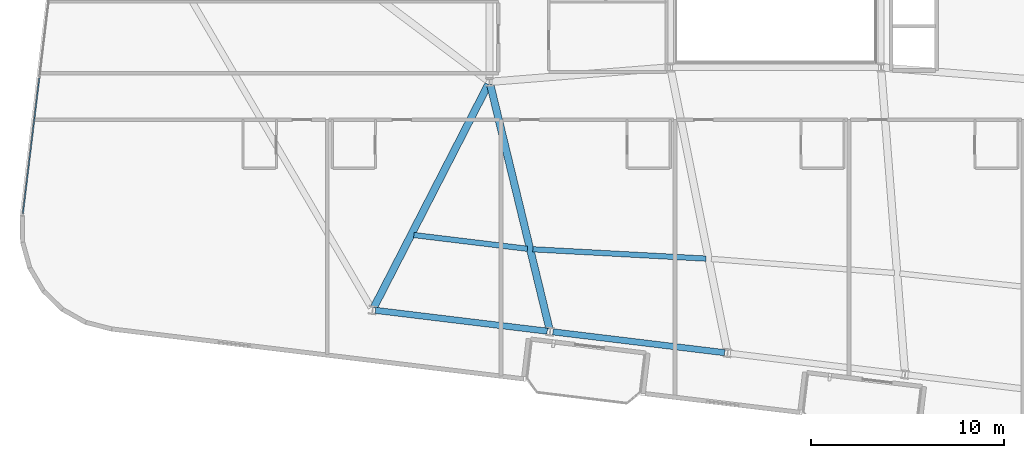
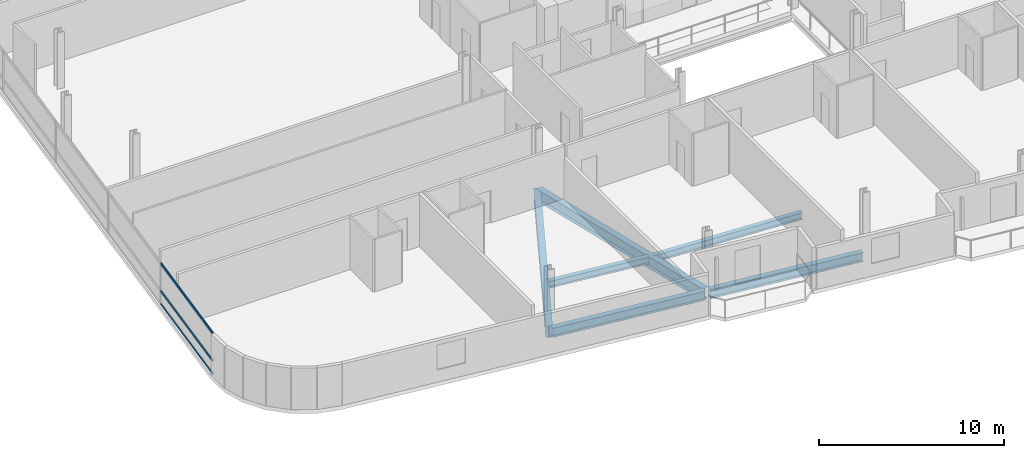
# One storey, part 3 of 26: 6 beams, 3 members, 1 element without a shape of its own.
"""IFC4 building model written with IfcOpenShell, lengths in metres."""

import ifcopenshell
import ifcopenshell.guid

model = None  # the IFC model being written
_history = None  # IfcOwnerHistory: only IFC2X3 demands one
_inside = {}  # id of a spatial element -> (the spatial element, [elements in it])
_under = {}  # id of a project, library or spatial element -> (it, [spatial elements below it])
_declared = {}  # id of a project -> (the project, [libraries it declares])
_typed = {}  # id of a type object -> (the type object, [elements of that type])
_made_of = {}  # id of a material, layer set ... -> (it, [elements and type objects made of it])


def new_model(schema):
    """Start an empty IFC model of exactly this schema.

    Asked for "IFC4X3", IfcOpenShell would pick the latest addendum, in which some entities
    have other attributes; the version numbers below select the first issue.
    IFC2X3 requires an IfcOwnerHistory on every rooted entity: one is made here for all.
    """
    global model, _history
    if schema == "IFC4X3":
        model = ifcopenshell.file(schema_version=(4, 3, 0, 0))
    else:
        model = ifcopenshell.file(schema=schema)
    _inside.clear()
    _under.clear()
    _declared.clear()
    _typed.clear()
    _made_of.clear()
    _history = None
    if model.schema == "IFC2X3":
        org = make("IfcOrganization", Name="unknown")
        user = make(
            "IfcPersonAndOrganization",
            ThePerson=make("IfcPerson", FamilyName="unknown"),
            TheOrganization=org,
        )
        app = make(
            "IfcApplication",
            ApplicationDeveloper=org,
            Version="unknown",
            ApplicationFullName="unknown",
            ApplicationIdentifier="unknown",
        )
        _history = make(
            "IfcOwnerHistory",
            OwningUser=user,
            OwningApplication=app,
            ChangeAction="ADDED",
            CreationDate=0,
        )
    return model


def make(cls, **values):
    """One entity of the class cls with the attributes given. An attribute that is None is left unset."""
    return model.create_entity(
        cls, **{name: value for name, value in values.items() if value is not None}
    )


def rooted(cls, **values):
    """An entity with a GlobalId (a new one), such as an element, a storey or a relation."""
    return make(cls, GlobalId=ifcopenshell.guid.new(), OwnerHistory=_history, **values)


def si_unit(unit_type, name, prefix=None):
    """IfcSIUnit, for example si_unit("LENGTHUNIT", "METRE", prefix="MILLI")."""
    return make("IfcSIUnit", UnitType=unit_type, Prefix=prefix, Name=name)


def assignment(units):
    """IfcUnitAssignment: the units of a project."""
    return None if units is None else make("IfcUnitAssignment", Units=units)


def point(xyz):
    """IfcCartesianPoint."""
    return None if xyz is None else make("IfcCartesianPoint", Coordinates=xyz)


def direction(xyz):
    """IfcDirection."""
    return None if xyz is None else make("IfcDirection", DirectionRatios=xyz)


def frame(location, z_axis=None, x_axis=None):
    """IfcAxis2Placement3D, a coordinate frame: its origin and axes. An axis left out is left unset."""
    return make(
        "IfcAxis2Placement3D",
        Location=point(location),
        Axis=direction(z_axis),
        RefDirection=direction(x_axis),
    )


def frame_2d(location, x_axis=None):
    """IfcAxis2Placement2D, a coordinate frame in the plane: its origin and x axis."""
    return make(
        "IfcAxis2Placement2D", Location=point(location), RefDirection=direction(x_axis)
    )


def origin():
    """The frame at (0, 0, 0) with its axes left unset."""
    return frame((0.0, 0.0, 0.0))


def origin_2d():
    """The frame at (0, 0) in the plane with its x axis left unset."""
    return frame_2d((0.0, 0.0))


def place(relative_to, where):
    """IfcLocalPlacement: puts the frame where relative to a parent placement (None: the world)."""
    return make(
        "IfcLocalPlacement", PlacementRelTo=relative_to, RelativePlacement=where
    )


def context(
    kind, dimensions, precision=None, world=None, true_north=None, identifier=None
):
    """IfcGeometricRepresentationContext, for example the 3D "Model" context."""
    return make(
        "IfcGeometricRepresentationContext",
        ContextIdentifier=identifier,
        ContextType=kind,
        CoordinateSpaceDimension=dimensions,
        Precision=precision,
        WorldCoordinateSystem=world,
        TrueNorth=true_north,
    )


def subcontext(parent, identifier, kind, view, scale=None):
    """IfcGeometricRepresentationSubContext, for example "Body" below "Model"."""
    return make(
        "IfcGeometricRepresentationSubContext",
        ContextIdentifier=identifier,
        ContextType=kind,
        ParentContext=parent,
        TargetScale=scale,
        TargetView=view,
    )


def project(units=None, contexts=None):
    """IfcProject with its units and contexts."""
    return rooted(
        "IfcProject",
        Name="project",
        RepresentationContexts=contexts,
        UnitsInContext=assignment(units),
    )


def spatial(cls, under=None, at=None, **own):
    """A site, building, storey or space (cls), placed at a placement, below another one or the project."""
    s = rooted(cls, ObjectPlacement=at, **own)
    if under is not None:
        _under.setdefault(under.id(), (under, []))[1].append(s)
    return s


def profile(cls, at=None, kind="AREA", **sizes):
    """A parametric profile (cls). Its sizes go by their IFC names, for example OverallWidth=200.0."""
    return make(cls, ProfileType=kind, Position=at, **sizes)


def hollow_rectangle(**sizes):
    """IfcRectangleHollowProfileDef."""
    return profile("IfcRectangleHollowProfileDef", **sizes)


def i_section(**sizes):
    """IfcIShapeProfileDef."""
    return profile("IfcIShapeProfileDef", **sizes)


def extrude(swept, where, along, depth):
    """IfcExtrudedAreaSolid: the profile swept, set in the frame where, extruded along a direction by depth."""
    return make(
        "IfcExtrudedAreaSolid",
        SweptArea=swept,
        Position=where,
        ExtrudedDirection=direction(along),
        Depth=depth,
    )


def shape(context_of_items, identifier, shape_type, items):
    """IfcShapeRepresentation: the items that make up one representation, for example the "Body"."""
    return make(
        "IfcShapeRepresentation",
        ContextOfItems=context_of_items,
        RepresentationIdentifier=identifier,
        RepresentationType=shape_type,
        Items=items,
    )


def material(Name=None, Category=None):
    """IfcMaterial."""
    return make("IfcMaterial", Name=Name, Category=Category)


def layer(
    of_material, thickness, ventilated=None, Name=None, Category=None, Priority=None
):
    """IfcMaterialLayer: one layer of a wall or slab, of a material (None: an air gap)."""
    return make(
        "IfcMaterialLayer",
        Material=of_material,
        LayerThickness=thickness,
        IsVentilated=ventilated,
        Name=Name,
        Category=Category,
        Priority=Priority,
    )


def layer_set(layers, Name=None):
    """IfcMaterialLayerSet."""
    return make("IfcMaterialLayerSet", MaterialLayers=layers, LayerSetName=Name)


def material_profile(
    of_material, cross_section, Name=None, Category=None, Priority=None
):
    """IfcMaterialProfile: a cross section and its material."""
    return make(
        "IfcMaterialProfile",
        Name=Name,
        Material=of_material,
        Profile=cross_section,
        Priority=Priority,
        Category=Category,
    )


def profile_set(profiles, Name=None, composite=None):
    """IfcMaterialProfileSet."""
    return make(
        "IfcMaterialProfileSet",
        Name=Name,
        MaterialProfiles=profiles,
        CompositeProfile=composite,
    )


def made_of(thing, what):
    """Note that an element or type object is made of a material, layer set ...; save() writes the relation."""
    if what is not None:
        _made_of.setdefault(what.id(), (what, []))[1].append(thing)
    return thing


def type_object(cls, material=None, **own):
    """A type object (cls), such as IfcWallType, which elements share."""
    return made_of(rooted(cls, **own), material)


def element(
    cls,
    number,
    at=None,
    inside=None,
    cuts=None,
    type_object=None,
    material=None,
    context=None,
    identifier="Body",
    shape_type=None,
    held_by="IfcProductDefinitionShape",
    body=None,
    shapes=None,
    **own,
):
    """One element of the class cls, such as IfcWall. Its Tag is "e" and its number.

    at: its placement. inside: the storey or other place that contains it. cuts: it is an
    opening in that element (IfcRelVoidsElement). A single representation is given by context,
    identifier, shape_type and body (its items); several are given by shapes. held_by: the class
    of the entity that holds the representations. save() writes the other relations.
    """
    e = rooted(cls, Tag="e%d" % number, ObjectPlacement=at, **own)
    if body is not None:
        shapes = [shape(context, identifier, shape_type, body)]
    if shapes is not None:
        e.Representation = make(held_by, Representations=shapes)
    if inside is not None:
        _inside.setdefault(inside.id(), (inside, []))[1].append(e)
    if cuts is not None:
        rooted(
            "IfcRelVoidsElement", RelatingBuildingElement=cuts, RelatedOpeningElement=e
        )
    if type_object is not None:
        _typed.setdefault(type_object.id(), (type_object, []))[1].append(e)
    return made_of(e, material)


def aggregate(whole, parts):
    """IfcRelAggregates: a whole, such as a stair, and the parts it consists of."""
    return rooted("IfcRelAggregates", RelatingObject=whole, RelatedObjects=parts)


def save(model, path):
    """Write the relations noted so far, then the file.

    IfcRelAggregates (storeys below a building ...), IfcRelContainedInSpatialStructure (elements
    in a storey), IfcRelDefinesByType, IfcRelAssociatesMaterial and IfcRelDeclares: one each for
    every whole, place, type object, material and project.
    """
    for whole, parts in _under.values():
        aggregate(whole, parts)
    for where, things in _inside.values():
        rooted(
            "IfcRelContainedInSpatialStructure",
            RelatedElements=things,
            RelatingStructure=where,
        )
    for kind, things in _typed.values():
        rooted("IfcRelDefinesByType", RelatedObjects=things, RelatingType=kind)
    for what, things in _made_of.values():
        rooted("IfcRelAssociatesMaterial", RelatedObjects=things, RelatingMaterial=what)
    for by, libraries in _declared.values():
        rooted("IfcRelDeclares", RelatingContext=by, RelatedDefinitions=libraries)
    model.write(path)


model = new_model("IFC4")

# Units and contexts
model_context = context("Model", 3, precision=1e-05, world=origin(), true_north=direction((0.0, 1.0)))
body_context = subcontext(model_context, "Body", "Model", "MODEL_VIEW")
ifc_project = project(units=[si_unit("LENGTHUNIT", "METRE"), si_unit("AREAUNIT", "SQUARE_METRE"), si_unit("VOLUMEUNIT", "CUBIC_METRE"), si_unit("PLANEANGLEUNIT", "RADIAN"), si_unit("MASSUNIT", "GRAM", prefix="KILO")], contexts=[model_context])

# Site, building, storey
site_placement = place(None, origin())
site = spatial("IfcSite", under=ifc_project, at=site_placement, CompositionType="ELEMENT")
building_placement = place(site_placement, origin())
building = spatial("IfcBuilding", under=site, at=building_placement, Name="Varnelok Gate Tower", CompositionType="ELEMENT")
storey_placement = place(building_placement, frame((0.0, 0.0, 143.89990234375)))
storey = spatial("IfcBuildingStorey", under=building, at=storey_placement, Name="L36", CompositionType="ELEMENT", Elevation=143.89990234375)

# Beams
ifc_material_1 = material(Name="Structural Steel ASTM A992 Grade 50", Category="steel")
ifc_material_profile_1 = material_profile(ifc_material_1, i_section(OverallWidth=0.280029296875, OverallDepth=0.462890625, WebThickness=0.0107421875, FlangeThickness=0.017333984375, FilletRadius=0.014892578125, at=origin_2d()), Name="W18X76")
ifc_profile_set_1 = profile_set([ifc_material_profile_1], Name="Structural Steel ASTM A992 Grade 50")
beam_type_1 = type_object("IfcBeamType", Name="BM-JST-W18X76", PredefinedType="JOIST", material=ifc_profile_set_1)
beam_1_placement = place(storey_placement, frame((20.482666015625, 10.875, -0.4814453125), z_axis=(0.992731840387, -0.120347385022, 0.0), x_axis=(0.120347385022, 0.992731840387, 0.0)))
element("IfcBeam", 1, at=beam_1_placement, inside=storey, type_object=beam_type_1, Name="L36 Sector Floor Joist 1", PredefinedType="JOIST", context=body_context, shape_type="SweptSolid", body=[
    extrude(i_section(OverallWidth=0.280029296875, OverallDepth=0.462890625, WebThickness=0.0107421875, FlangeThickness=0.017333984375, FilletRadius=0.014892578125, at=origin_2d()), origin(), (0.0, 0.0, 1.0), 5.91748046875),
])
beam_2_placement = place(storey_placement, frame((26.635986328125, 10.138427734375, -0.4814453125), z_axis=(0.998547263771, -0.053882854557, 0.0), x_axis=(0.053882854557, 0.998547263771, 0.0)))
element("IfcBeam", 2, at=beam_2_placement, inside=storey, type_object=beam_type_1, Name="L36 Sector Floor Joist 2", PredefinedType="JOIST", context=body_context, shape_type="SweptSolid", body=[
    extrude(i_section(OverallWidth=0.280029296875, OverallDepth=0.462890625, WebThickness=0.0107421875, FlangeThickness=0.017333984375, FilletRadius=0.014892578125, at=origin_2d()), origin(), (0.0, 0.0, 1.0), 8.97119140625),
])
ifc_material_profile_2 = material_profile(ifc_material_1, i_section(OverallWidth=0.381103515625, OverallDepth=0.77294921875, WebThickness=0.0166015625, FlangeThickness=0.027099609375, FilletRadius=0.02197265625, at=origin_2d()), Name="W30X173")
ifc_profile_set_2 = profile_set([ifc_material_profile_2], Name="Structural Steel ASTM A992 Grade 50")
beam_type_2 = type_object("IfcBeamType", Name="BM-PRI-W30X173", PredefinedType="BEAM", material=ifc_profile_set_2)
beam_3_placement = place(storey_placement, frame((24.33154296875, 18.66650390625, -0.636474609375), z_axis=(-0.456386604987, -0.889781583754, 0.0), x_axis=(0.889781583754, -0.456386604987, 0.0)))
element("IfcBeam", 3, at=beam_3_placement, inside=storey, type_object=beam_type_2, Name="L36 Radial Floor Girder 1", PredefinedType="BEAM", context=body_context, shape_type="SweptSolid", body=[
    extrude(i_section(OverallWidth=0.381103515625, OverallDepth=0.77294921875, WebThickness=0.0166015625, FlangeThickness=0.027099609375, FilletRadius=0.02197265625, at=origin_2d()), origin(), (0.0, 0.0, 1.0), 12.96533203125),
])
beam_4_placement = place(storey_placement, frame((24.435302734375, 18.654296875, -0.636474609375), z_axis=(0.235400453941, -0.971898465008, 0.0), x_axis=(0.971898465008, 0.235400453941, 0.0)))
element("IfcBeam", 4, at=beam_4_placement, inside=storey, type_object=beam_type_2, Name="L36 Radial Floor Girder 2", PredefinedType="BEAM", context=body_context, shape_type="SweptSolid", body=[
    extrude(i_section(OverallWidth=0.381103515625, OverallDepth=0.77294921875, WebThickness=0.0166015625, FlangeThickness=0.027099609375, FilletRadius=0.02197265625, at=origin_2d()), origin(), (0.0, 0.0, 1.0), 12.989990234375),
])
ifc_material_profile_3 = material_profile(ifc_material_1, i_section(OverallWidth=0.323974609375, OverallDepth=0.611083984375, WebThickness=0.0126953125, FlangeThickness=0.01904296875, FilletRadius=0.01806640625, at=origin_2d()), Name="W24X104")
ifc_profile_set_3 = profile_set([ifc_material_profile_3], Name="Structural Steel ASTM A992 Grade 50")
beam_type_3 = type_object("IfcBeamType", Name="BM-SPN-W24X104", PredefinedType="SPANDREL", material=ifc_profile_set_3)
for number, where, z_axis, x_axis, name in (
    (5, (18.49462890625, 6.978515625, -0.555419921875), (0.992734670707, -0.120324035735, 0.0), (0.120324035735, 0.992734670707, 0.0), "L36 Perimeter Spandrel Beam 1"),
    (6, (27.677490234375, 5.865478515625, -0.555419921875), (0.99273141198, -0.120350918849, 0.0), (0.120350918849, 0.99273141198, 0.0), "L36 Perimeter Spandrel Beam 2"),
):
    element("IfcBeam", number, at=place(storey_placement, frame(where, z_axis=z_axis, x_axis=x_axis)), inside=storey, type_object=beam_type_3, Name=name, PredefinedType="SPANDREL", context=body_context, shape_type="SweptSolid", body=[
        extrude(i_section(OverallWidth=0.323974609375, OverallDepth=0.611083984375, WebThickness=0.0126953125, FlangeThickness=0.01904296875, FilletRadius=0.01806640625, at=origin_2d()), origin(), (0.0, 0.0, 1.0), 8.949951171875),
    ])

# Curtain wall, members
ifc_material_2 = material(Name="Anodized Aluminum Alloy 6063-T6", Category="aluminium")
ifc_layer = layer(ifc_material_2, 0.179931640625)
ifc_layer_set = layer_set([ifc_layer], Name="Anodized Aluminum Alloy 6063-T6")
curtain_wall_type = type_object("IfcCurtainWallType", Name="CW3-HOTEL-VISION", PredefinedType="USERDEFINED", material=ifc_layer_set)
curtain_wall_placement = place(storey_placement, origin())
curtain_wall = element("IfcCurtainWall", 7, at=curtain_wall_placement, inside=storey, type_object=curtain_wall_type, Name="L36 West End Vision Curtain Wall", ObjectType="UNITISED CURTAIN WALL", PredefinedType="USERDEFINED")
ifc_material_profile_4 = material_profile(ifc_material_2, hollow_rectangle(XDim=0.06494140625, YDim=0.159912109375, WallThickness=0.00390625, at=origin_2d()), Name="ALU160X65X4")
ifc_profile_set_4 = profile_set([ifc_material_profile_4], Name="Anodized Aluminum Alloy 6063-T6")
member_type = type_object("IfcMemberType", Name="CW-TRAN-160", PredefinedType="USERDEFINED", material=ifc_profile_set_4)
member_1_placement = place(storey_placement, frame((0.2509765625, 11.955322265625, 0.03271484375), z_axis=(0.120344712857, 0.992732164326, 0.0), x_axis=(-0.992732164326, 0.120344712857, 0.0)))
member_1 = element("IfcMember", 8, at=member_1_placement, type_object=member_type, Name="CW3 transom 1.1", ObjectType="TRANSOM", PredefinedType="USERDEFINED", context=body_context, shape_type="SweptSolid", body=[
    extrude(hollow_rectangle(XDim=0.06494140625, YDim=0.159912109375, WallThickness=0.00390625, at=origin_2d()), origin(), (0.0, 0.0, 1.0), 7.102294921875),
])
member_2_placement = place(storey_placement, frame((0.2509765625, 11.955322265625, 0.900146484375), z_axis=(0.120344712857, 0.992732164326, 0.0), x_axis=(-0.992732164326, 0.120344712857, 0.0)))
member_2 = element("IfcMember", 9, at=member_2_placement, type_object=member_type, Name="CW3 transom 1.2", ObjectType="TRANSOM", PredefinedType="USERDEFINED", context=body_context, shape_type="SweptSolid", body=[
    extrude(hollow_rectangle(XDim=0.06494140625, YDim=0.159912109375, WallThickness=0.00390625, at=origin_2d()), origin(), (0.0, 0.0, 1.0), 7.102294921875),
])
member_3_placement = place(storey_placement, frame((0.2509765625, 11.955322265625, 2.697509765625), z_axis=(0.120344712857, 0.992732164326, 0.0), x_axis=(-0.992732164326, 0.120344712857, 0.0)))
member_3 = element("IfcMember", 10, at=member_3_placement, type_object=member_type, Name="CW3 transom 1.3", ObjectType="TRANSOM", PredefinedType="USERDEFINED", context=body_context, shape_type="SweptSolid", body=[
    extrude(hollow_rectangle(XDim=0.06494140625, YDim=0.159912109375, WallThickness=0.00390625, at=origin_2d()), origin(), (0.0, 0.0, 1.0), 7.102294921875),
])
aggregate(curtain_wall, [member_1, member_2, member_3])

save(model, "model.ifc")
